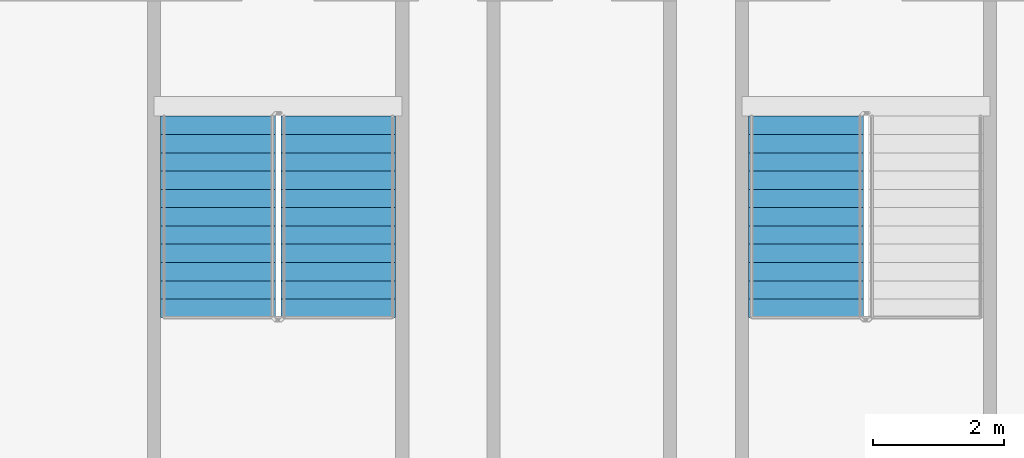
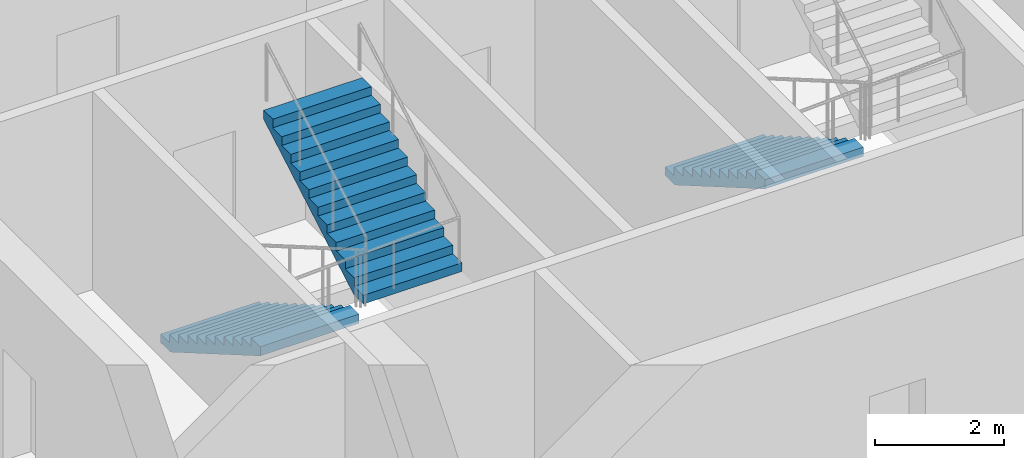
# One storey, part 7 of 14: 3 stair flights, 2 elements without a shape of their own.
"""IFC4 building model written with IfcOpenShell, lengths in metres."""

from ifc_helpers import new_model, si_unit, direction, frame, origin, place, context, subcontext, project, spatial, faceted_brep, material, type_object, element, aggregate, save


model = new_model("IFC4")

# Units and contexts
model_context = context("Model", 3, precision=1e-05, world=origin(), true_north=direction((0.0, 1.0)))
body_context = subcontext(model_context, "Body", "Model", "MODEL_VIEW")
ifc_project = project(units=[si_unit("LENGTHUNIT", "METRE"), si_unit("AREAUNIT", "SQUARE_METRE"), si_unit("VOLUMEUNIT", "CUBIC_METRE"), si_unit("PLANEANGLEUNIT", "RADIAN"), si_unit("MASSUNIT", "GRAM", prefix="KILO")], contexts=[model_context])

# Site, building, storey
site_placement = place(None, origin())
site = spatial("IfcSite", under=ifc_project, at=site_placement, CompositionType="ELEMENT")
building_placement = place(site_placement, origin())
building = spatial("IfcBuilding", under=site, at=building_placement, Name="Tarsis Ring Headquarters", CompositionType="ELEMENT")
storey_placement = place(building_placement, frame((0.0, 0.0, 274.699951171875)))
storey = spatial("IfcBuildingStorey", under=building, at=storey_placement, Name="L64", CompositionType="ELEMENT", Elevation=274.699951171875)

# Stair, stair flights
ifc_material_1 = material(Name="Core stair 1760")
stair_type = type_object("IfcStairType", Name="Core stair 1760", PredefinedType="HALF_TURN_STAIR", material=ifc_material_1)
stair_1_placement = place(storey_placement, origin())
stair_1 = element("IfcStair", 1, at=stair_1_placement, inside=storey, type_object=stair_type, Name="L64 Exit stair C", PredefinedType="HALF_TURN_STAIR")
ifc_material_2 = material(Name="Concrete C40/50", Category="concrete")
stair_flight_type = type_object("IfcStairFlightType", Name="Core stair flight 1760", PredefinedType="STRAIGHT", material=ifc_material_2)
stair_flight_1_placement = place(storey_placement, frame((-5.419921875, -3.659912109375, 0.0), z_axis=(0.0, 0.0, 1.0), x_axis=(0.0, -1.0, 0.0)))
stair_flight_1 = element("IfcStairFlight", 2, at=stair_flight_1_placement, type_object=stair_flight_type, Name="Stair ST3 flight 1", NumberOfRisers=12, NumberOfTreads=11, PredefinedType="STRAIGHT", RiserHeight=0.1625, TreadLength=0.28, context=body_context, shape_type="Brep", body=[
    faceted_brep([(0.0, 0.8798828125, 0.0), (0.0, 0.8798828125, 0.16259765625), (0.280029296875, 0.8798828125, 0.16259765625), (0.280029296875, 0.8798828125, 0.324951171875), (0.56005859375, 0.8798828125, 0.324951171875), (0.56005859375, 0.8798828125, 0.487548828125), (0.840087890625, 0.8798828125, 0.487548828125), (0.840087890625, 0.8798828125, 0.64990234375), (1.1201171875, 0.8798828125, 0.64990234375), (1.1201171875, 0.8798828125, 0.8125), (1.39990234375, 0.8798828125, 0.8125), (1.39990234375, 0.8798828125, 0.97509765625), (1.679931640625, 0.8798828125, 0.97509765625), (1.679931640625, 0.8798828125, 1.137451171875), (1.9599609375, 0.8798828125, 1.137451171875), (1.9599609375, 0.8798828125, 1.300048828125), (2.239990234375, 0.8798828125, 1.300048828125), (2.239990234375, 0.8798828125, 1.46240234375), (2.52001953125, 0.8798828125, 1.46240234375), (2.52001953125, 0.8798828125, 1.625), (2.800048828125, 0.8798828125, 1.625), (2.800048828125, 0.8798828125, 1.78759765625), (3.080078125, 0.8798828125, 1.78759765625), (3.080078125, 0.8798828125, 1.6142578125), (0.298583984375, 0.8798828125, 0.0), (0.298583984375, -0.8798828125, 0.0), (3.080078125, -0.8798828125, 1.6142578125), (3.080078125, -0.8798828125, 1.78759765625), (2.800048828125, -0.8798828125, 1.78759765625), (2.800048828125, -0.8798828125, 1.625), (2.52001953125, -0.8798828125, 1.625), (2.52001953125, -0.8798828125, 1.46240234375), (2.239990234375, -0.8798828125, 1.46240234375), (2.239990234375, -0.8798828125, 1.300048828125), (1.9599609375, -0.8798828125, 1.300048828125), (1.9599609375, -0.8798828125, 1.137451171875), (1.679931640625, -0.8798828125, 1.137451171875), (1.679931640625, -0.8798828125, 0.97509765625), (1.39990234375, -0.8798828125, 0.97509765625), (1.39990234375, -0.8798828125, 0.8125), (1.1201171875, -0.8798828125, 0.8125), (1.1201171875, -0.8798828125, 0.64990234375), (0.840087890625, -0.8798828125, 0.64990234375), (0.840087890625, -0.8798828125, 0.487548828125), (0.56005859375, -0.8798828125, 0.487548828125), (0.56005859375, -0.8798828125, 0.324951171875), (0.280029296875, -0.8798828125, 0.324951171875), (0.280029296875, -0.8798828125, 0.16259765625), (0.0, -0.8798828125, 0.16259765625), (0.0, -0.8798828125, 0.0), (0.0, -0.43994140625, 0.16259765625), (0.0, -0.43994140625, 0.0), (0.0, 0.0, 0.16259765625), (0.0, 0.0, 0.0), (0.0, 0.43994140625, 0.16259765625), (0.0, 0.43994140625, 0.0), (0.280029296875, -0.43994140625, 0.16259765625), (0.280029296875, 0.0, 0.16259765625), (0.280029296875, 0.43994140625, 0.16259765625), (0.280029296875, -0.43994140625, 0.324951171875), (0.280029296875, 0.0, 0.324951171875), (0.280029296875, 0.43994140625, 0.324951171875), (0.56005859375, -0.43994140625, 0.324951171875), (0.56005859375, 0.0, 0.324951171875), (0.56005859375, 0.43994140625, 0.324951171875), (0.56005859375, -0.43994140625, 0.487548828125), (0.56005859375, 0.0, 0.487548828125), (0.56005859375, 0.43994140625, 0.487548828125), (0.840087890625, -0.43994140625, 0.487548828125), (0.840087890625, 0.0, 0.487548828125), (0.840087890625, 0.43994140625, 0.487548828125), (0.840087890625, -0.43994140625, 0.64990234375), (0.840087890625, 0.0, 0.64990234375), (0.840087890625, 0.43994140625, 0.64990234375), (1.1201171875, -0.43994140625, 0.64990234375), (1.1201171875, 0.0, 0.64990234375), (1.1201171875, 0.43994140625, 0.64990234375), (1.1201171875, -0.43994140625, 0.8125), (1.1201171875, 0.0, 0.8125), (1.1201171875, 0.43994140625, 0.8125), (1.39990234375, -0.43994140625, 0.8125), (1.39990234375, 0.0, 0.8125), (1.39990234375, 0.43994140625, 0.8125), (1.39990234375, -0.43994140625, 0.97509765625), (1.39990234375, 0.0, 0.97509765625), (1.39990234375, 0.43994140625, 0.97509765625), (1.679931640625, -0.43994140625, 0.97509765625), (1.679931640625, 0.0, 0.97509765625), (1.679931640625, 0.43994140625, 0.97509765625), (1.679931640625, -0.43994140625, 1.137451171875), (1.679931640625, 0.0, 1.137451171875), (1.679931640625, 0.43994140625, 1.137451171875), (1.9599609375, -0.43994140625, 1.137451171875), (1.9599609375, 0.0, 1.137451171875), (1.9599609375, 0.43994140625, 1.137451171875), (1.9599609375, -0.43994140625, 1.300048828125), (1.9599609375, 0.0, 1.300048828125), (1.9599609375, 0.43994140625, 1.300048828125), (2.239990234375, -0.43994140625, 1.300048828125), (2.239990234375, 0.0, 1.300048828125), (2.239990234375, 0.43994140625, 1.300048828125), (2.239990234375, -0.43994140625, 1.46240234375), (2.239990234375, 0.0, 1.46240234375), (2.239990234375, 0.43994140625, 1.46240234375), (2.52001953125, -0.43994140625, 1.46240234375), (2.52001953125, 0.0, 1.46240234375), (2.52001953125, 0.43994140625, 1.46240234375), (2.52001953125, -0.43994140625, 1.625), (2.52001953125, 0.0, 1.625), (2.52001953125, 0.43994140625, 1.625), (2.800048828125, -0.43994140625, 1.625), (2.800048828125, 0.0, 1.625), (2.800048828125, 0.43994140625, 1.625), (2.800048828125, -0.43994140625, 1.78759765625), (2.800048828125, 0.0, 1.78759765625), (2.800048828125, 0.43994140625, 1.78759765625), (3.080078125, -0.43994140625, 1.78759765625), (3.080078125, 0.0, 1.78759765625), (3.080078125, 0.43994140625, 1.78759765625), (3.080078125, -0.43994140625, 1.6142578125), (3.080078125, 0.0, 1.6142578125), (3.080078125, 0.43994140625, 1.6142578125), (0.298583984375, -0.43994140625, 0.0), (0.298583984375, 0.0, 0.0), (0.298583984375, 0.43994140625, 0.0)], [[[0, 1, 2, 3, 4, 5, 6, 7, 8, 9, 10, 11, 12, 13, 14, 15, 16, 17, 18, 19, 20, 21, 22, 23, 24]], [[25, 26, 27, 28, 29, 30, 31, 32, 33, 34, 35, 36, 37, 38, 39, 40, 41, 42, 43, 44, 45, 46, 47, 48, 49]], [[49, 48, 50, 51]], [[51, 50, 52, 53]], [[53, 52, 54, 55]], [[55, 54, 1, 0]], [[48, 47, 56, 50]], [[50, 56, 57, 52]], [[52, 57, 58, 54]], [[54, 58, 2, 1]], [[47, 46, 59, 56]], [[56, 59, 60, 57]], [[57, 60, 61, 58]], [[58, 61, 3, 2]], [[46, 45, 62, 59]], [[59, 62, 63, 60]], [[60, 63, 64, 61]], [[61, 64, 4, 3]], [[45, 44, 65, 62]], [[62, 65, 66, 63]], [[63, 66, 67, 64]], [[64, 67, 5, 4]], [[44, 43, 68, 65]], [[65, 68, 69, 66]], [[66, 69, 70, 67]], [[67, 70, 6, 5]], [[43, 42, 71, 68]], [[68, 71, 72, 69]], [[69, 72, 73, 70]], [[70, 73, 7, 6]], [[42, 41, 74, 71]], [[71, 74, 75, 72]], [[72, 75, 76, 73]], [[73, 76, 8, 7]], [[41, 40, 77, 74]], [[74, 77, 78, 75]], [[75, 78, 79, 76]], [[76, 79, 9, 8]], [[40, 39, 80, 77]], [[77, 80, 81, 78]], [[78, 81, 82, 79]], [[79, 82, 10, 9]], [[39, 38, 83, 80]], [[80, 83, 84, 81]], [[81, 84, 85, 82]], [[82, 85, 11, 10]], [[38, 37, 86, 83]], [[83, 86, 87, 84]], [[84, 87, 88, 85]], [[85, 88, 12, 11]], [[37, 36, 89, 86]], [[86, 89, 90, 87]], [[87, 90, 91, 88]], [[88, 91, 13, 12]], [[36, 35, 92, 89]], [[89, 92, 93, 90]], [[90, 93, 94, 91]], [[91, 94, 14, 13]], [[35, 34, 95, 92]], [[92, 95, 96, 93]], [[93, 96, 97, 94]], [[94, 97, 15, 14]], [[34, 33, 98, 95]], [[95, 98, 99, 96]], [[96, 99, 100, 97]], [[97, 100, 16, 15]], [[33, 32, 101, 98]], [[98, 101, 102, 99]], [[99, 102, 103, 100]], [[100, 103, 17, 16]], [[32, 31, 104, 101]], [[101, 104, 105, 102]], [[102, 105, 106, 103]], [[103, 106, 18, 17]], [[31, 30, 107, 104]], [[104, 107, 108, 105]], [[105, 108, 109, 106]], [[106, 109, 19, 18]], [[30, 29, 110, 107]], [[107, 110, 111, 108]], [[108, 111, 112, 109]], [[109, 112, 20, 19]], [[29, 28, 113, 110]], [[110, 113, 114, 111]], [[111, 114, 115, 112]], [[112, 115, 21, 20]], [[28, 27, 116, 113]], [[113, 116, 117, 114]], [[114, 117, 118, 115]], [[115, 118, 22, 21]], [[27, 26, 119, 116]], [[116, 119, 120, 117]], [[117, 120, 121, 118]], [[118, 121, 23, 22]], [[26, 25, 122, 119]], [[119, 122, 123, 120]], [[120, 123, 124, 121]], [[121, 124, 24, 23]], [[25, 49, 51, 122]], [[122, 51, 53, 123]], [[123, 53, 55, 124]], [[124, 55, 0, 24]]]),
])
stair_flight_2_placement = place(storey_placement, frame((-3.580078125, -6.739990234375, 1.949951171875), z_axis=(0.0, 0.0, 1.0), x_axis=(0.0, 1.0, 0.0)))
stair_flight_2 = element("IfcStairFlight", 3, at=stair_flight_2_placement, type_object=stair_flight_type, Name="Stair ST3 flight 2", NumberOfRisers=12, NumberOfTreads=11, PredefinedType="STRAIGHT", RiserHeight=0.1625, TreadLength=0.28, context=body_context, shape_type="Brep", body=[
    faceted_brep([(0.0, 0.8798828125, 0.0), (0.0, 0.8798828125, 0.16259765625), (0.280029296875, 0.8798828125, 0.16259765625), (0.280029296875, 0.8798828125, 0.324951171875), (0.56005859375, 0.8798828125, 0.324951171875), (0.56005859375, 0.8798828125, 0.487548828125), (0.840087890625, 0.8798828125, 0.487548828125), (0.840087890625, 0.8798828125, 0.64990234375), (1.1201171875, 0.8798828125, 0.64990234375), (1.1201171875, 0.8798828125, 0.8125), (1.39990234375, 0.8798828125, 0.8125), (1.39990234375, 0.8798828125, 0.97509765625), (1.679931640625, 0.8798828125, 0.97509765625), (1.679931640625, 0.8798828125, 1.137451171875), (1.9599609375, 0.8798828125, 1.137451171875), (1.9599609375, 0.8798828125, 1.300048828125), (2.239990234375, 0.8798828125, 1.300048828125), (2.239990234375, 0.8798828125, 1.46240234375), (2.52001953125, 0.8798828125, 1.46240234375), (2.52001953125, 0.8798828125, 1.625), (2.800048828125, 0.8798828125, 1.625), (2.800048828125, 0.8798828125, 1.78759765625), (3.080078125, 0.8798828125, 1.78759765625), (3.080078125, 0.8798828125, 1.6142578125), (0.298583984375, 0.8798828125, 0.0), (0.298583984375, -0.8798828125, 0.0), (3.080078125, -0.8798828125, 1.6142578125), (3.080078125, -0.8798828125, 1.78759765625), (2.800048828125, -0.8798828125, 1.78759765625), (2.800048828125, -0.8798828125, 1.625), (2.52001953125, -0.8798828125, 1.625), (2.52001953125, -0.8798828125, 1.46240234375), (2.239990234375, -0.8798828125, 1.46240234375), (2.239990234375, -0.8798828125, 1.300048828125), (1.9599609375, -0.8798828125, 1.300048828125), (1.9599609375, -0.8798828125, 1.137451171875), (1.679931640625, -0.8798828125, 1.137451171875), (1.679931640625, -0.8798828125, 0.97509765625), (1.39990234375, -0.8798828125, 0.97509765625), (1.39990234375, -0.8798828125, 0.8125), (1.1201171875, -0.8798828125, 0.8125), (1.1201171875, -0.8798828125, 0.64990234375), (0.840087890625, -0.8798828125, 0.64990234375), (0.840087890625, -0.8798828125, 0.487548828125), (0.56005859375, -0.8798828125, 0.487548828125), (0.56005859375, -0.8798828125, 0.324951171875), (0.280029296875, -0.8798828125, 0.324951171875), (0.280029296875, -0.8798828125, 0.16259765625), (0.0, -0.8798828125, 0.16259765625), (0.0, -0.8798828125, 0.0), (0.0, -0.43994140625, 0.16259765625), (0.0, -0.43994140625, 0.0), (0.0, 0.0, 0.16259765625), (0.0, 0.0, 0.0), (0.0, 0.43994140625, 0.16259765625), (0.0, 0.43994140625, 0.0), (0.280029296875, -0.43994140625, 0.16259765625), (0.280029296875, 0.0, 0.16259765625), (0.280029296875, 0.43994140625, 0.16259765625), (0.280029296875, -0.43994140625, 0.324951171875), (0.280029296875, 0.0, 0.324951171875), (0.280029296875, 0.43994140625, 0.324951171875), (0.56005859375, -0.43994140625, 0.324951171875), (0.56005859375, 0.0, 0.324951171875), (0.56005859375, 0.43994140625, 0.324951171875), (0.56005859375, -0.43994140625, 0.487548828125), (0.56005859375, 0.0, 0.487548828125), (0.56005859375, 0.43994140625, 0.487548828125), (0.840087890625, -0.43994140625, 0.487548828125), (0.840087890625, 0.0, 0.487548828125), (0.840087890625, 0.43994140625, 0.487548828125), (0.840087890625, -0.43994140625, 0.64990234375), (0.840087890625, 0.0, 0.64990234375), (0.840087890625, 0.43994140625, 0.64990234375), (1.1201171875, -0.43994140625, 0.64990234375), (1.1201171875, 0.0, 0.64990234375), (1.1201171875, 0.43994140625, 0.64990234375), (1.1201171875, -0.43994140625, 0.8125), (1.1201171875, 0.0, 0.8125), (1.1201171875, 0.43994140625, 0.8125), (1.39990234375, -0.43994140625, 0.8125), (1.39990234375, 0.0, 0.8125), (1.39990234375, 0.43994140625, 0.8125), (1.39990234375, -0.43994140625, 0.97509765625), (1.39990234375, 0.0, 0.97509765625), (1.39990234375, 0.43994140625, 0.97509765625), (1.679931640625, -0.43994140625, 0.97509765625), (1.679931640625, 0.0, 0.97509765625), (1.679931640625, 0.43994140625, 0.97509765625), (1.679931640625, -0.43994140625, 1.137451171875), (1.679931640625, 0.0, 1.137451171875), (1.679931640625, 0.43994140625, 1.137451171875), (1.9599609375, -0.43994140625, 1.137451171875), (1.9599609375, 0.0, 1.137451171875), (1.9599609375, 0.43994140625, 1.137451171875), (1.9599609375, -0.43994140625, 1.300048828125), (1.9599609375, 0.0, 1.300048828125), (1.9599609375, 0.43994140625, 1.300048828125), (2.239990234375, -0.43994140625, 1.300048828125), (2.239990234375, 0.0, 1.300048828125), (2.239990234375, 0.43994140625, 1.300048828125), (2.239990234375, -0.43994140625, 1.46240234375), (2.239990234375, 0.0, 1.46240234375), (2.239990234375, 0.43994140625, 1.46240234375), (2.52001953125, -0.43994140625, 1.46240234375), (2.52001953125, 0.0, 1.46240234375), (2.52001953125, 0.43994140625, 1.46240234375), (2.52001953125, -0.43994140625, 1.625), (2.52001953125, 0.0, 1.625), (2.52001953125, 0.43994140625, 1.625), (2.800048828125, -0.43994140625, 1.625), (2.800048828125, 0.0, 1.625), (2.800048828125, 0.43994140625, 1.625), (2.800048828125, -0.43994140625, 1.78759765625), (2.800048828125, 0.0, 1.78759765625), (2.800048828125, 0.43994140625, 1.78759765625), (3.080078125, -0.43994140625, 1.78759765625), (3.080078125, 0.0, 1.78759765625), (3.080078125, 0.43994140625, 1.78759765625), (3.080078125, -0.43994140625, 1.6142578125), (3.080078125, 0.0, 1.6142578125), (3.080078125, 0.43994140625, 1.6142578125), (0.298583984375, -0.43994140625, 0.0), (0.298583984375, 0.0, 0.0), (0.298583984375, 0.43994140625, 0.0)], [[[0, 1, 2, 3, 4, 5, 6, 7, 8, 9, 10, 11, 12, 13, 14, 15, 16, 17, 18, 19, 20, 21, 22, 23, 24]], [[25, 26, 27, 28, 29, 30, 31, 32, 33, 34, 35, 36, 37, 38, 39, 40, 41, 42, 43, 44, 45, 46, 47, 48, 49]], [[49, 48, 50, 51]], [[51, 50, 52, 53]], [[53, 52, 54, 55]], [[55, 54, 1, 0]], [[48, 47, 56, 50]], [[50, 56, 57, 52]], [[52, 57, 58, 54]], [[54, 58, 2, 1]], [[47, 46, 59, 56]], [[56, 59, 60, 57]], [[57, 60, 61, 58]], [[58, 61, 3, 2]], [[46, 45, 62, 59]], [[59, 62, 63, 60]], [[60, 63, 64, 61]], [[61, 64, 4, 3]], [[45, 44, 65, 62]], [[62, 65, 66, 63]], [[63, 66, 67, 64]], [[64, 67, 5, 4]], [[44, 43, 68, 65]], [[65, 68, 69, 66]], [[66, 69, 70, 67]], [[67, 70, 6, 5]], [[43, 42, 71, 68]], [[68, 71, 72, 69]], [[69, 72, 73, 70]], [[70, 73, 7, 6]], [[42, 41, 74, 71]], [[71, 74, 75, 72]], [[72, 75, 76, 73]], [[73, 76, 8, 7]], [[41, 40, 77, 74]], [[74, 77, 78, 75]], [[75, 78, 79, 76]], [[76, 79, 9, 8]], [[40, 39, 80, 77]], [[77, 80, 81, 78]], [[78, 81, 82, 79]], [[79, 82, 10, 9]], [[39, 38, 83, 80]], [[80, 83, 84, 81]], [[81, 84, 85, 82]], [[82, 85, 11, 10]], [[38, 37, 86, 83]], [[83, 86, 87, 84]], [[84, 87, 88, 85]], [[85, 88, 12, 11]], [[37, 36, 89, 86]], [[86, 89, 90, 87]], [[87, 90, 91, 88]], [[88, 91, 13, 12]], [[36, 35, 92, 89]], [[89, 92, 93, 90]], [[90, 93, 94, 91]], [[91, 94, 14, 13]], [[35, 34, 95, 92]], [[92, 95, 96, 93]], [[93, 96, 97, 94]], [[94, 97, 15, 14]], [[34, 33, 98, 95]], [[95, 98, 99, 96]], [[96, 99, 100, 97]], [[97, 100, 16, 15]], [[33, 32, 101, 98]], [[98, 101, 102, 99]], [[99, 102, 103, 100]], [[100, 103, 17, 16]], [[32, 31, 104, 101]], [[101, 104, 105, 102]], [[102, 105, 106, 103]], [[103, 106, 18, 17]], [[31, 30, 107, 104]], [[104, 107, 108, 105]], [[105, 108, 109, 106]], [[106, 109, 19, 18]], [[30, 29, 110, 107]], [[107, 110, 111, 108]], [[108, 111, 112, 109]], [[109, 112, 20, 19]], [[29, 28, 113, 110]], [[110, 113, 114, 111]], [[111, 114, 115, 112]], [[112, 115, 21, 20]], [[28, 27, 116, 113]], [[113, 116, 117, 114]], [[114, 117, 118, 115]], [[115, 118, 22, 21]], [[27, 26, 119, 116]], [[116, 119, 120, 117]], [[117, 120, 121, 118]], [[118, 121, 23, 22]], [[26, 25, 122, 119]], [[119, 122, 123, 120]], [[120, 123, 124, 121]], [[121, 124, 24, 23]], [[25, 49, 51, 122]], [[122, 51, 53, 123]], [[123, 53, 55, 124]], [[124, 55, 0, 24]]]),
])
aggregate(stair_1, [stair_flight_1, stair_flight_2])

# Stair, stair flight
stair_2_placement = place(storey_placement, origin())
stair_2 = element("IfcStair", 4, at=stair_2_placement, inside=storey, type_object=stair_type, Name="L64 Exit stair D", PredefinedType="HALF_TURN_STAIR")
stair_flight_3_placement = place(storey_placement, frame((3.580078125, -3.659912109375, 0.0), z_axis=(0.0, 0.0, 1.0), x_axis=(0.0, -1.0, 0.0)))
stair_flight_3 = element("IfcStairFlight", 5, at=stair_flight_3_placement, type_object=stair_flight_type, Name="Stair ST4 flight 1", NumberOfRisers=12, NumberOfTreads=11, PredefinedType="STRAIGHT", RiserHeight=0.1625, TreadLength=0.28, context=body_context, shape_type="Brep", body=[
    faceted_brep([(0.0, 0.8798828125, 0.0), (0.0, 0.8798828125, 0.16259765625), (0.280029296875, 0.8798828125, 0.16259765625), (0.280029296875, 0.8798828125, 0.324951171875), (0.56005859375, 0.8798828125, 0.324951171875), (0.56005859375, 0.8798828125, 0.487548828125), (0.840087890625, 0.8798828125, 0.487548828125), (0.840087890625, 0.8798828125, 0.64990234375), (1.1201171875, 0.8798828125, 0.64990234375), (1.1201171875, 0.8798828125, 0.8125), (1.39990234375, 0.8798828125, 0.8125), (1.39990234375, 0.8798828125, 0.97509765625), (1.679931640625, 0.8798828125, 0.97509765625), (1.679931640625, 0.8798828125, 1.137451171875), (1.9599609375, 0.8798828125, 1.137451171875), (1.9599609375, 0.8798828125, 1.300048828125), (2.239990234375, 0.8798828125, 1.300048828125), (2.239990234375, 0.8798828125, 1.46240234375), (2.52001953125, 0.8798828125, 1.46240234375), (2.52001953125, 0.8798828125, 1.625), (2.800048828125, 0.8798828125, 1.625), (2.800048828125, 0.8798828125, 1.78759765625), (3.080078125, 0.8798828125, 1.78759765625), (3.080078125, 0.8798828125, 1.6142578125), (0.298583984375, 0.8798828125, 0.0), (0.298583984375, -0.8798828125, 0.0), (3.080078125, -0.8798828125, 1.6142578125), (3.080078125, -0.8798828125, 1.78759765625), (2.800048828125, -0.8798828125, 1.78759765625), (2.800048828125, -0.8798828125, 1.625), (2.52001953125, -0.8798828125, 1.625), (2.52001953125, -0.8798828125, 1.46240234375), (2.239990234375, -0.8798828125, 1.46240234375), (2.239990234375, -0.8798828125, 1.300048828125), (1.9599609375, -0.8798828125, 1.300048828125), (1.9599609375, -0.8798828125, 1.137451171875), (1.679931640625, -0.8798828125, 1.137451171875), (1.679931640625, -0.8798828125, 0.97509765625), (1.39990234375, -0.8798828125, 0.97509765625), (1.39990234375, -0.8798828125, 0.8125), (1.1201171875, -0.8798828125, 0.8125), (1.1201171875, -0.8798828125, 0.64990234375), (0.840087890625, -0.8798828125, 0.64990234375), (0.840087890625, -0.8798828125, 0.487548828125), (0.56005859375, -0.8798828125, 0.487548828125), (0.56005859375, -0.8798828125, 0.324951171875), (0.280029296875, -0.8798828125, 0.324951171875), (0.280029296875, -0.8798828125, 0.16259765625), (0.0, -0.8798828125, 0.16259765625), (0.0, -0.8798828125, 0.0), (0.0, -0.43994140625, 0.16259765625), (0.0, -0.43994140625, 0.0), (0.0, 0.0, 0.16259765625), (0.0, 0.0, 0.0), (0.0, 0.43994140625, 0.16259765625), (0.0, 0.43994140625, 0.0), (0.280029296875, -0.43994140625, 0.16259765625), (0.280029296875, 0.0, 0.16259765625), (0.280029296875, 0.43994140625, 0.16259765625), (0.280029296875, -0.43994140625, 0.324951171875), (0.280029296875, 0.0, 0.324951171875), (0.280029296875, 0.43994140625, 0.324951171875), (0.56005859375, -0.43994140625, 0.324951171875), (0.56005859375, 0.0, 0.324951171875), (0.56005859375, 0.43994140625, 0.324951171875), (0.56005859375, -0.43994140625, 0.487548828125), (0.56005859375, 0.0, 0.487548828125), (0.56005859375, 0.43994140625, 0.487548828125), (0.840087890625, -0.43994140625, 0.487548828125), (0.840087890625, 0.0, 0.487548828125), (0.840087890625, 0.43994140625, 0.487548828125), (0.840087890625, -0.43994140625, 0.64990234375), (0.840087890625, 0.0, 0.64990234375), (0.840087890625, 0.43994140625, 0.64990234375), (1.1201171875, -0.43994140625, 0.64990234375), (1.1201171875, 0.0, 0.64990234375), (1.1201171875, 0.43994140625, 0.64990234375), (1.1201171875, -0.43994140625, 0.8125), (1.1201171875, 0.0, 0.8125), (1.1201171875, 0.43994140625, 0.8125), (1.39990234375, -0.43994140625, 0.8125), (1.39990234375, 0.0, 0.8125), (1.39990234375, 0.43994140625, 0.8125), (1.39990234375, -0.43994140625, 0.97509765625), (1.39990234375, 0.0, 0.97509765625), (1.39990234375, 0.43994140625, 0.97509765625), (1.679931640625, -0.43994140625, 0.97509765625), (1.679931640625, 0.0, 0.97509765625), (1.679931640625, 0.43994140625, 0.97509765625), (1.679931640625, -0.43994140625, 1.137451171875), (1.679931640625, 0.0, 1.137451171875), (1.679931640625, 0.43994140625, 1.137451171875), (1.9599609375, -0.43994140625, 1.137451171875), (1.9599609375, 0.0, 1.137451171875), (1.9599609375, 0.43994140625, 1.137451171875), (1.9599609375, -0.43994140625, 1.300048828125), (1.9599609375, 0.0, 1.300048828125), (1.9599609375, 0.43994140625, 1.300048828125), (2.239990234375, -0.43994140625, 1.300048828125), (2.239990234375, 0.0, 1.300048828125), (2.239990234375, 0.43994140625, 1.300048828125), (2.239990234375, -0.43994140625, 1.46240234375), (2.239990234375, 0.0, 1.46240234375), (2.239990234375, 0.43994140625, 1.46240234375), (2.52001953125, -0.43994140625, 1.46240234375), (2.52001953125, 0.0, 1.46240234375), (2.52001953125, 0.43994140625, 1.46240234375), (2.52001953125, -0.43994140625, 1.625), (2.52001953125, 0.0, 1.625), (2.52001953125, 0.43994140625, 1.625), (2.800048828125, -0.43994140625, 1.625), (2.800048828125, 0.0, 1.625), (2.800048828125, 0.43994140625, 1.625), (2.800048828125, -0.43994140625, 1.78759765625), (2.800048828125, 0.0, 1.78759765625), (2.800048828125, 0.43994140625, 1.78759765625), (3.080078125, -0.43994140625, 1.78759765625), (3.080078125, 0.0, 1.78759765625), (3.080078125, 0.43994140625, 1.78759765625), (3.080078125, -0.43994140625, 1.6142578125), (3.080078125, 0.0, 1.6142578125), (3.080078125, 0.43994140625, 1.6142578125), (0.298583984375, -0.43994140625, 0.0), (0.298583984375, 0.0, 0.0), (0.298583984375, 0.43994140625, 0.0)], [[[0, 1, 2, 3, 4, 5, 6, 7, 8, 9, 10, 11, 12, 13, 14, 15, 16, 17, 18, 19, 20, 21, 22, 23, 24]], [[25, 26, 27, 28, 29, 30, 31, 32, 33, 34, 35, 36, 37, 38, 39, 40, 41, 42, 43, 44, 45, 46, 47, 48, 49]], [[49, 48, 50, 51]], [[51, 50, 52, 53]], [[53, 52, 54, 55]], [[55, 54, 1, 0]], [[48, 47, 56, 50]], [[50, 56, 57, 52]], [[52, 57, 58, 54]], [[54, 58, 2, 1]], [[47, 46, 59, 56]], [[56, 59, 60, 57]], [[57, 60, 61, 58]], [[58, 61, 3, 2]], [[46, 45, 62, 59]], [[59, 62, 63, 60]], [[60, 63, 64, 61]], [[61, 64, 4, 3]], [[45, 44, 65, 62]], [[62, 65, 66, 63]], [[63, 66, 67, 64]], [[64, 67, 5, 4]], [[44, 43, 68, 65]], [[65, 68, 69, 66]], [[66, 69, 70, 67]], [[67, 70, 6, 5]], [[43, 42, 71, 68]], [[68, 71, 72, 69]], [[69, 72, 73, 70]], [[70, 73, 7, 6]], [[42, 41, 74, 71]], [[71, 74, 75, 72]], [[72, 75, 76, 73]], [[73, 76, 8, 7]], [[41, 40, 77, 74]], [[74, 77, 78, 75]], [[75, 78, 79, 76]], [[76, 79, 9, 8]], [[40, 39, 80, 77]], [[77, 80, 81, 78]], [[78, 81, 82, 79]], [[79, 82, 10, 9]], [[39, 38, 83, 80]], [[80, 83, 84, 81]], [[81, 84, 85, 82]], [[82, 85, 11, 10]], [[38, 37, 86, 83]], [[83, 86, 87, 84]], [[84, 87, 88, 85]], [[85, 88, 12, 11]], [[37, 36, 89, 86]], [[86, 89, 90, 87]], [[87, 90, 91, 88]], [[88, 91, 13, 12]], [[36, 35, 92, 89]], [[89, 92, 93, 90]], [[90, 93, 94, 91]], [[91, 94, 14, 13]], [[35, 34, 95, 92]], [[92, 95, 96, 93]], [[93, 96, 97, 94]], [[94, 97, 15, 14]], [[34, 33, 98, 95]], [[95, 98, 99, 96]], [[96, 99, 100, 97]], [[97, 100, 16, 15]], [[33, 32, 101, 98]], [[98, 101, 102, 99]], [[99, 102, 103, 100]], [[100, 103, 17, 16]], [[32, 31, 104, 101]], [[101, 104, 105, 102]], [[102, 105, 106, 103]], [[103, 106, 18, 17]], [[31, 30, 107, 104]], [[104, 107, 108, 105]], [[105, 108, 109, 106]], [[106, 109, 19, 18]], [[30, 29, 110, 107]], [[107, 110, 111, 108]], [[108, 111, 112, 109]], [[109, 112, 20, 19]], [[29, 28, 113, 110]], [[110, 113, 114, 111]], [[111, 114, 115, 112]], [[112, 115, 21, 20]], [[28, 27, 116, 113]], [[113, 116, 117, 114]], [[114, 117, 118, 115]], [[115, 118, 22, 21]], [[27, 26, 119, 116]], [[116, 119, 120, 117]], [[117, 120, 121, 118]], [[118, 121, 23, 22]], [[26, 25, 122, 119]], [[119, 122, 123, 120]], [[120, 123, 124, 121]], [[121, 124, 24, 23]], [[25, 49, 51, 122]], [[122, 51, 53, 123]], [[123, 53, 55, 124]], [[124, 55, 0, 24]]]),
])
aggregate(stair_2, [stair_flight_3])

save(model, "model.ifc")
